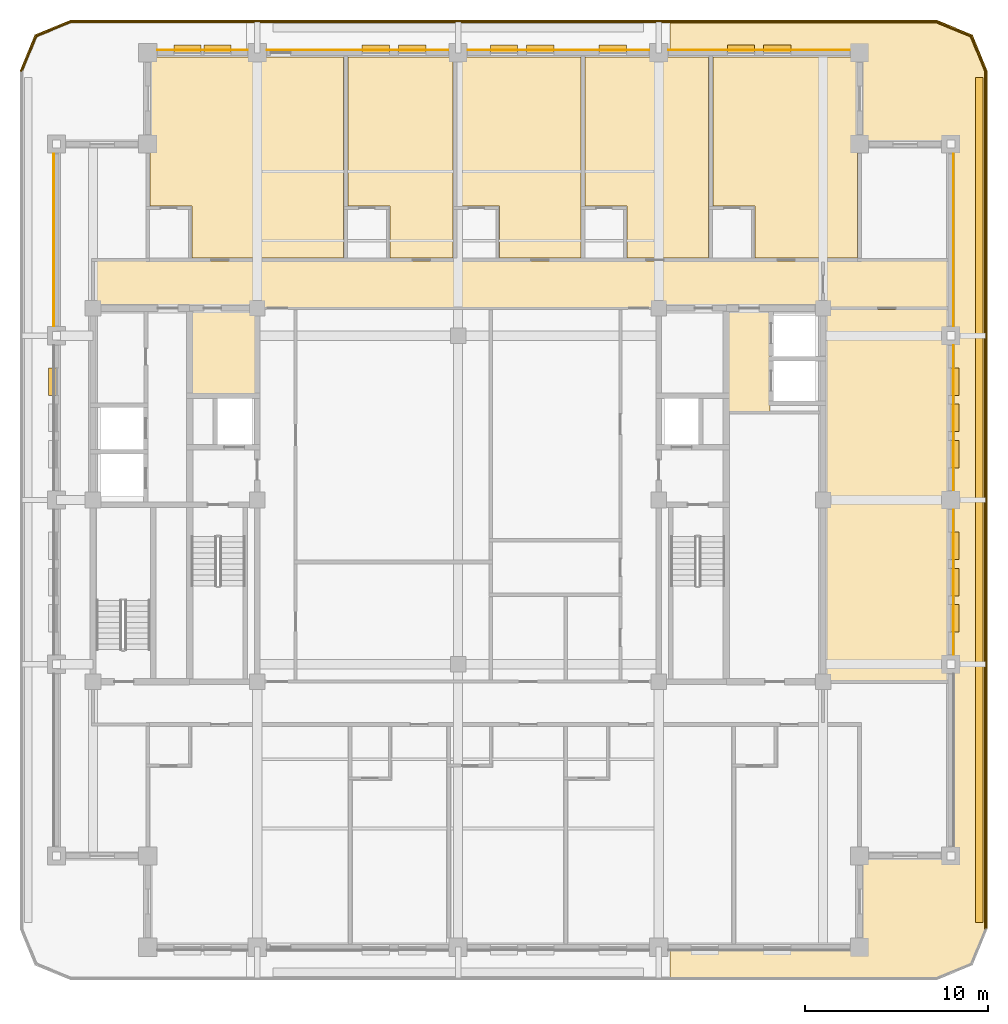
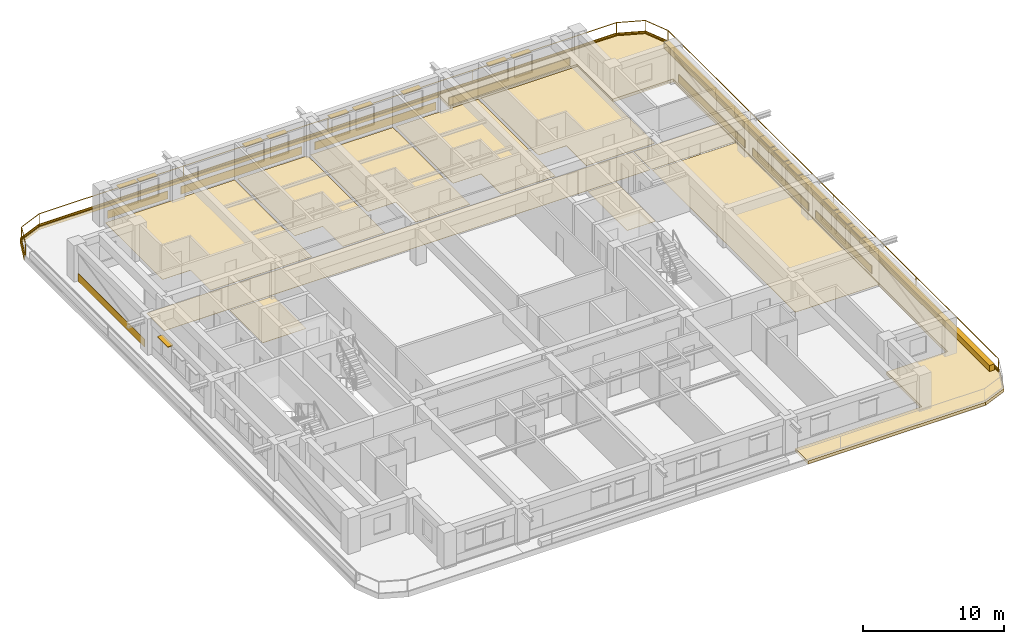
# One storey, part 13 of 13: 26 coverings, 16 shading devices, 2 railings.
"""IFC4 building model written with IfcOpenShell, lengths in metres."""

from ifc_helpers import new_model, si_unit, direction, frame, frame_2d, origin, origin_2d, place, context, subcontext, project, spatial, polyline, rectangle, outline, extrude, material, layer, layer_set, type_object, element, save


model = new_model("IFC4")

# Units and contexts
model_context = context("Model", 3, precision=1e-05, world=origin(), true_north=direction((0.0, 1.0)))
body_context = subcontext(model_context, "Body", "Model", "MODEL_VIEW")
ifc_project = project(units=[si_unit("LENGTHUNIT", "METRE"), si_unit("AREAUNIT", "SQUARE_METRE"), si_unit("VOLUMEUNIT", "CUBIC_METRE"), si_unit("PLANEANGLEUNIT", "RADIAN"), si_unit("MASSUNIT", "GRAM", prefix="KILO")], contexts=[model_context])

# Site, building, storey
site_placement = place(None, origin())
site = spatial("IfcSite", under=ifc_project, at=site_placement, CompositionType="ELEMENT")
building_placement = place(site_placement, origin())
building = spatial("IfcBuilding", under=site, at=building_placement, Name="Zulmaris Gate Convention Tower", CompositionType="ELEMENT")
storey_placement = place(building_placement, frame((0.0, 0.0, 166.059814453125)))
storey = spatial("IfcBuildingStorey", under=building, at=storey_placement, Name="L42", CompositionType="ELEMENT", Elevation=166.059814453125)

# Coverings
ifc_material_1 = material(Name="Precast concrete C40/50", Category="concrete")
ifc_layer_1 = layer(ifc_material_1, 0.0400390625, Name="Precast concrete C40/50")
ifc_layer_set_1 = layer_set([ifc_layer_1], Name="Precast concrete C40/50")
covering_type_1 = type_object("IfcCoveringType", Name="CLAD-SPANDREL-PRECAST", PredefinedType="CLADDING", material=ifc_layer_set_1)
covering_1_placement = place(storey_placement, frame((-11.530029296875, 24.64990234375, 0.0), z_axis=(0.0, 0.0, 1.0), x_axis=(-1.0, 0.0, 0.0)))
element("IfcCovering", 1, at=covering_1_placement, inside=storey, type_object=covering_type_1, Name="CLD-L42-N-0_0", PredefinedType="CLADDING", context=body_context, shape_type="SweptSolid", body=[
    extrude(rectangle(XDim=4.93994140625, YDim=0.0400390625, at=frame_2d((2.469970703125, 0.0))), origin(), (0.0, 0.0, 1.0), 0.679931640625),
])
for number, where, z_axis, x_axis, name in (
    (2, (-0.530029296875, 24.64990234375, 0.0), (0.0, 0.0, 1.0), (-1.0, 0.0, 0.0), "CLD-L42-N-1_0"),
    (3, (10.469970703125, 24.64990234375, 0.0), (0.0, 0.0, 1.0), (-1.0, 0.0, 0.0), "CLD-L42-N-2_0"),
    (4, (21.469970703125, 24.64990234375, 0.0), (0.0, 0.0, 1.0), (-1.0, 0.0, 0.0), "CLD-L42-N-3_0"),
):
    element("IfcCovering", number, at=place(storey_placement, frame(where, z_axis=z_axis, x_axis=x_axis)), inside=storey, type_object=covering_type_1, Name=name, PredefinedType="CLADDING", context=body_context, shape_type="SweptSolid", body=[
        extrude(rectangle(XDim=9.93994140625, YDim=0.0400390625, at=frame_2d((4.969970703125, 0.0))), origin(), (0.0, 0.0, 1.0), 0.679931640625),
    ])
for number, where, z_axis, x_axis, name in (
    (5, (27.14990234375, -8.469970703125, 0.0), (0.0, 0.0, 1.0), (0.0, 1.0, 0.0), "CLD-L42-E-1_0"),
    (6, (27.14990234375, 0.530029296875, 0.0), (0.0, 0.0, 1.0), (0.0, 1.0, 0.0), "CLD-L42-E-2_0"),
):
    element("IfcCovering", number, at=place(storey_placement, frame(where, z_axis=z_axis, x_axis=x_axis)), inside=storey, type_object=covering_type_1, Name=name, PredefinedType="CLADDING", context=body_context, shape_type="SweptSolid", body=[
        extrude(rectangle(XDim=7.93994140625, YDim=0.0400390625, at=frame_2d((3.969970703125, 0.0))), origin(), (0.0, 0.0, 1.0), 0.679931640625),
    ])
for number, where, z_axis, x_axis, name in (
    (7, (27.14990234375, 9.530029296875, 0.0), (0.0, 0.0, 1.0), (0.0, 1.0, 0.0), "CLD-L42-E-3_0"),
    (8, (-22.14990234375, 18.969970703125, 0.0), (0.0, 0.0, 1.0), (0.0, -1.0, 0.0), "CLD-L42-W-3_0"),
):
    element("IfcCovering", number, at=place(storey_placement, frame(where, z_axis=z_axis, x_axis=x_axis)), inside=storey, type_object=covering_type_1, Name=name, PredefinedType="CLADDING", context=body_context, shape_type="SweptSolid", body=[
        extrude(rectangle(XDim=9.43994140625, YDim=0.0400390625, at=frame_2d((4.719970703125, 0.0))), origin(), (0.0, 0.0, 1.0), 0.679931640625),
    ])
ifc_material_2 = material(Name="White Glazed Architectural Precast Concrete C40/50", Category="concrete")
ifc_layer_2 = layer(ifc_material_2, 0.239990234375, Name="White Glazed Architectural Precast Concrete C40/50")
ifc_layer_set_2 = layer_set([ifc_layer_2], Name="White Glazed Architectural Precast Concrete C40/50")
covering_type_2 = type_object("IfcCoveringType", Name="CLAD-TRAY-DECK", PredefinedType="CLADDING", material=ifc_layer_set_2)
covering_2_placement = place(storey_placement, frame((0.0, 0.0, -0.25)))
element("IfcCovering", 9, at=covering_2_placement, inside=storey, type_object=covering_type_2, Name="L42 East Rounded-Fascia Planter Tray Deck", PredefinedType="CLADDING", context=body_context, shape_type="SweptSolid", body=[
    extrude(outline(polyline([(26.199951171875, 26.300048828125), (28.179931640625, 25.47998046875), (29.0, 23.5), (29.0, -23.5), (28.179931640625, -25.47998046875), (26.199951171875, -26.300048828125), (11.60205078125, -26.300048828125), (11.60205078125, -24.5), (22.0, -24.5), (22.0, -19.5), (27.0, -19.5), (27.0, 19.5), (22.0, 19.5), (22.0, 24.5), (11.60205078125, 24.5), (11.60205078125, 26.300048828125), (26.199951171875, 26.300048828125)])), origin(), (0.0, 0.0, 1.0), 0.260009765625),
])
ifc_layer_3 = layer(ifc_material_2, 0.080078125, Name="White Glazed Architectural Precast Concrete C40/50")
ifc_layer_set_3 = layer_set([ifc_layer_3], Name="White Glazed Architectural Precast Concrete C40/50")
covering_type_3 = type_object("IfcCoveringType", Name="CLAD-TRAY-FASCIA", PredefinedType="CLADDING", material=ifc_layer_set_3)
covering_3_placement = place(storey_placement, frame((28.9599609375, -23.5, -0.2900390625), z_axis=(0.0, 0.0, 1.0), x_axis=(0.0, 1.0, 0.0)))
element("IfcCovering", 10, at=covering_3_placement, inside=storey, type_object=covering_type_3, Name="FSC-L42-TR-05", PredefinedType="CLADDING", context=body_context, shape_type="SweptSolid", body=[
    extrude(rectangle(XDim=47.0, YDim=0.080078125, at=frame_2d((23.5, 0.0))), origin(), (0.0, 0.0, 1.0), 0.4599609375),
])
covering_4_placement = place(storey_placement, frame((28.962890625, 23.484619140625, -0.2900390625), z_axis=(0.0, 0.0, 1.0), x_axis=(-0.382656984709, 0.923890487046, 0.0)))
element("IfcCovering", 11, at=covering_4_placement, inside=storey, type_object=covering_type_3, Name="FSC-L42-TR-06", PredefinedType="CLADDING", context=body_context, shape_type="SweptSolid", body=[
    extrude(rectangle(XDim=2.14306640625, YDim=0.080078125, at=frame_2d((1.071533203125, 0.0))), origin(), (0.0, 0.0, 1.0), 0.4599609375),
])
covering_5_placement = place(storey_placement, frame((28.16455078125, 25.44287109375, -0.2900390625), z_axis=(0.0, 0.0, 1.0), x_axis=(-0.923873803533, 0.382697263049, 0.0)))
element("IfcCovering", 12, at=covering_5_placement, inside=storey, type_object=covering_type_3, Name="FSC-L42-TR-07", PredefinedType="CLADDING", context=body_context, shape_type="SweptSolid", body=[
    extrude(rectangle(XDim=2.142822265625, YDim=0.080078125, at=frame_2d((1.0712890625, 0.0))), origin(), (0.0, 0.0, 1.0), 0.4599609375),
])
covering_6_placement = place(storey_placement, frame((26.199951171875, 26.260009765625, -0.2900390625), z_axis=(0.0, 0.0, 1.0), x_axis=(-1.0, 0.0, 0.0)))
element("IfcCovering", 13, at=covering_6_placement, inside=storey, type_object=covering_type_3, Name="FSC-L42-TR-08", PredefinedType="CLADDING", context=body_context, shape_type="SweptSolid", body=[
    extrude(rectangle(XDim=47.39990234375, YDim=0.080078125, at=frame_2d((23.699951171875, 0.0))), origin(), (0.0, 0.0, 1.0), 0.4599609375),
])
covering_7_placement = place(storey_placement, frame((-21.184814453125, 26.262939453125, -0.2900390625), z_axis=(0.0, 0.0, 1.0), x_axis=(-0.923873803533, -0.382697263049, 0.0)))
element("IfcCovering", 14, at=covering_7_placement, inside=storey, type_object=covering_type_3, Name="FSC-L42-TR-09", PredefinedType="CLADDING", context=body_context, shape_type="SweptSolid", body=[
    extrude(rectangle(XDim=2.142822265625, YDim=0.080078125, at=frame_2d((1.0712890625, 0.0))), origin(), (0.0, 0.0, 1.0), 0.4599609375),
])
covering_8_placement = place(storey_placement, frame((-23.142822265625, 25.464599609375, -0.2900390625), z_axis=(0.0, 0.0, 1.0), x_axis=(-0.382656984709, -0.923890487046, 0.0)))
element("IfcCovering", 15, at=covering_8_placement, inside=storey, type_object=covering_type_3, Name="FSC-L42-TR-10", PredefinedType="CLADDING", context=body_context, shape_type="SweptSolid", body=[
    extrude(rectangle(XDim=2.14306640625, YDim=0.080078125, at=frame_2d((1.071533203125, 0.0))), origin(), (0.0, 0.0, 1.0), 0.4599609375),
])
ifc_material_3 = material(Name="Woven Acoustic Wool Carpet Tile")
ifc_layer_4 = layer(ifc_material_3, 0.02001953125, Name="Woven Acoustic Wool Carpet Tile")
ifc_layer_set_4 = layer_set([ifc_layer_4], Name="Woven Acoustic Wool Carpet Tile")
covering_type_4 = type_object("IfcCoveringType", Name="FLR-CARPET-12", PredefinedType="FLOORING", material=ifc_layer_set_4)
covering_9_placement = place(storey_placement, origin())
element("IfcCovering", 16, at=covering_9_placement, inside=storey, type_object=covering_type_4, Name="FLR-L42-R11", PredefinedType="FLOORING", context=body_context, shape_type="SweptSolid", body=[
    extrude(outline(polyline([(-14.639892578125, 5.760009765625), (-11.06005859375, 5.760009765625), (-11.06005859375, 10.43994140625), (-14.639892578125, 10.43994140625), (-14.639892578125, 5.760009765625)])), origin(), (0.0, 0.0, 1.0), 0.02001953125),
])
covering_10_placement = place(storey_placement, origin())
element("IfcCovering", 17, at=covering_10_placement, inside=storey, type_object=covering_type_4, Name="FLR-L42-R21", PredefinedType="FLOORING", context=body_context, shape_type="SweptSolid", body=[
    extrude(outline(polyline([(14.760009765625, 4.860107421875), (17.090087890625, 4.860107421875), (17.090087890625, 10.43994140625), (14.760009765625, 10.43994140625), (14.760009765625, 4.860107421875)])), origin(), (0.0, 0.0, 1.0), 0.02001953125),
])
covering_11_placement = place(storey_placement, origin())
element("IfcCovering", 18, at=covering_11_placement, inside=storey, type_object=covering_type_4, Name="FLR-L42-R25", PredefinedType="FLOORING", context=body_context, shape_type="SweptSolid", body=[
    extrude(outline(polyline([(-19.93994140625, 10.56005859375), (19.93994140625, 10.56005859375), (19.93994140625, 13.090087890625), (-19.93994140625, 13.090087890625), (-19.93994140625, 10.56005859375)])), origin(), (0.0, 0.0, 1.0), 0.02001953125),
])
covering_12_placement = place(storey_placement, origin())
element("IfcCovering", 19, at=covering_12_placement, inside=storey, type_object=covering_type_4, Name="FLR-L42-R55", PredefinedType="FLOORING", context=body_context, shape_type="SweptSolid", body=[
    extrude(outline(polyline([(20.06005859375, 10.56005859375), (26.93994140625, 10.56005859375), (26.93994140625, 13.090087890625), (20.06005859375, 13.090087890625), (20.06005859375, 10.56005859375)])), origin(), (0.0, 0.0, 1.0), 0.02001953125),
])
ifc_material_4 = material(Name="Engineered Teak Parquet Flooring")
ifc_layer_5 = layer(ifc_material_4, 0.02001953125, Name="Engineered Teak Parquet Flooring")
ifc_layer_set_5 = layer_set([ifc_layer_5], Name="Engineered Teak Parquet Flooring")
covering_type_5 = type_object("IfcCoveringType", Name="FLR-TIMBER-18", PredefinedType="FLOORING", material=ifc_layer_set_5)
covering_13_placement = place(storey_placement, origin())
element("IfcCovering", 20, at=covering_13_placement, inside=storey, type_object=covering_type_5, Name="FLR-L42-R30", PredefinedType="FLOORING", context=body_context, shape_type="SweptSolid", body=[
    extrude(outline(polyline([(-14.580078125, 13.27001953125), (-6.27001953125, 13.27001953125), (-6.27001953125, 24.260009765625), (-16.8798828125, 24.260009765625), (-16.8798828125, 16.1201171875), (-14.580078125, 16.1201171875), (-14.580078125, 13.27001953125)])), origin(), (0.0, 0.0, 1.0), 0.02001953125),
])
covering_14_placement = place(storey_placement, origin())
element("IfcCovering", 21, at=covering_14_placement, inside=storey, type_object=covering_type_5, Name="FLR-L42-R32", PredefinedType="FLOORING", context=body_context, shape_type="SweptSolid", body=[
    extrude(outline(polyline([(-3.72998046875, 13.27001953125), (-0.27001953125, 13.27001953125), (-0.27001953125, 24.260009765625), (-6.030029296875, 24.260009765625), (-6.030029296875, 16.1201171875), (-3.72998046875, 16.1201171875), (-3.72998046875, 13.27001953125)])), origin(), (0.0, 0.0, 1.0), 0.02001953125),
])
covering_15_placement = place(storey_placement, origin())
element("IfcCovering", 22, at=covering_15_placement, inside=storey, type_object=covering_type_5, Name="FLR-L42-R34", PredefinedType="FLOORING", context=body_context, shape_type="SweptSolid", body=[
    extrude(outline(polyline([(2.27001953125, 13.27001953125), (6.72998046875, 13.27001953125), (6.72998046875, 24.260009765625), (-0.030029296875, 24.260009765625), (-0.030029296875, 16.1201171875), (2.27001953125, 16.1201171875), (2.27001953125, 13.27001953125)])), origin(), (0.0, 0.0, 1.0), 0.02001953125),
])
covering_16_placement = place(storey_placement, origin())
element("IfcCovering", 23, at=covering_16_placement, inside=storey, type_object=covering_type_5, Name="FLR-L42-R36", PredefinedType="FLOORING", context=body_context, shape_type="SweptSolid", body=[
    extrude(outline(polyline([(9.27001953125, 13.27001953125), (13.72998046875, 13.27001953125), (13.72998046875, 24.260009765625), (6.969970703125, 24.260009765625), (6.969970703125, 16.1201171875), (9.27001953125, 16.1201171875), (9.27001953125, 13.27001953125)])), origin(), (0.0, 0.0, 1.0), 0.02001953125),
])
covering_17_placement = place(storey_placement, origin())
element("IfcCovering", 24, at=covering_17_placement, inside=storey, type_object=covering_type_5, Name="FLR-L42-R38", PredefinedType="FLOORING", context=body_context, shape_type="SweptSolid", body=[
    extrude(outline(polyline([(16.27001953125, 13.27001953125), (21.8798828125, 13.27001953125), (21.8798828125, 24.260009765625), (13.969970703125, 24.260009765625), (13.969970703125, 16.1201171875), (16.27001953125, 16.1201171875), (16.27001953125, 13.27001953125)])), origin(), (0.0, 0.0, 1.0), 0.02001953125),
])
covering_18_placement = place(storey_placement, origin())
element("IfcCovering", 25, at=covering_18_placement, inside=storey, type_object=covering_type_5, Name="FLR-L42-R56", PredefinedType="FLOORING", context=body_context, shape_type="SweptSolid", body=[
    extrude(outline(polyline([(20.06005859375, -9.889892578125), (26.93994140625, -9.889892578125), (26.93994140625, 10.43994140625), (20.06005859375, 10.43994140625), (20.06005859375, -9.889892578125)])), origin(), (0.0, 0.0, 1.0), 0.02001953125),
])
ifc_material_5 = material(Name="Botanical Green Glazed Precast Concrete C40/50", Category="concrete")
ifc_layer_6 = layer(ifc_material_5, 0.419921875, Name="Botanical Green Glazed Precast Concrete C40/50")
ifc_layer_set_6 = layer_set([ifc_layer_6], Name="Botanical Green Glazed Precast Concrete C40/50")
covering_type_6 = type_object("IfcCoveringType", Name="PLANTER-BOX-200", PredefinedType="CLADDING", material=ifc_layer_set_6)
covering_19_placement = place(storey_placement, frame((0.0, 0.0, 0.010009765625)))
element("IfcCovering", 26, at=covering_19_placement, inside=storey, type_object=covering_type_6, Name="L42 E Full-Length Balcony Tree Planter Trough", PredefinedType="CLADDING", context=body_context, shape_type="SweptSolid", body=[
    extrude(outline(polyline([(28.340087890625, -23.14990234375), (28.760009765625, -23.14990234375), (28.760009765625, 23.14990234375), (28.340087890625, 23.14990234375), (28.340087890625, -23.14990234375)])), origin(), (0.0, 0.0, 1.0), 0.52001953125),
])

# Railings
ifc_material_6 = material(Name="Laminated Glass and Stainless Steel", Category="steel")
railing_type = type_object("IfcRailingType", Name="RL-BALC-1150", PredefinedType="BALUSTRADE", material=ifc_material_6)
railing_1_placement = place(storey_placement, frame((28.8798828125, -23.5, 0.010009765625)))
element("IfcRailing", 27, at=railing_1_placement, inside=storey, type_object=railing_type, Name="RL-L42-BALC-E", PredefinedType="BALUSTRADE", context=body_context, shape_type="SweptSolid", body=[
    extrude(rectangle(XDim=0.048095703125, YDim=0.048095703125, at=origin_2d()), frame((0.0, 0.0, 1.1259765625), z_axis=(0.0, 1.0, 0.0), x_axis=(-1.0, 0.0, 0.0)), (0.0, 0.0, 1.0), 47.0),
    extrude(rectangle(XDim=0.048095703125, YDim=0.048095703125, at=origin_2d()), frame((0.0, 0.0, 0.02392578125), z_axis=(0.0, 1.0, 0.0), x_axis=(-1.0, 0.0, 0.0)), (0.0, 0.0, 1.0), 47.0),
    extrude(rectangle(XDim=0.0419921875, YDim=0.0419921875, at=origin_2d()), origin(), (0.0, 0.0, 1.0), 1.101806640625),
    extrude(rectangle(XDim=0.0419921875, YDim=0.0419921875, at=origin_2d()), frame((0.0, 11.75, 0.0)), (0.0, 0.0, 1.0), 1.101806640625),
    extrude(rectangle(XDim=0.0419921875, YDim=0.0419921875, at=origin_2d()), frame((0.0, 23.5, 0.0)), (0.0, 0.0, 1.0), 1.101806640625),
    extrude(rectangle(XDim=0.0419921875, YDim=0.0419921875, at=origin_2d()), frame((0.0, 35.25, 0.0)), (0.0, 0.0, 1.0), 1.101806640625),
    extrude(rectangle(XDim=0.0419921875, YDim=0.0419921875, at=origin_2d()), frame((0.0, 47.0, 0.0)), (0.0, 0.0, 1.0), 1.101806640625),
])
railing_2_placement = place(storey_placement, frame((28.8798828125, 23.5, 0.010009765625)))
element("IfcRailing", 28, at=railing_2_placement, inside=storey, type_object=railing_type, Name="RL-L42-BALC-N", PredefinedType="BALUSTRADE", context=body_context, shape_type="SweptSolid", body=[
    extrude(rectangle(XDim=0.048095703125, YDim=0.048095703125, at=origin_2d()), frame((0.0, 0.0, 1.1259765625), z_axis=(-0.382670664694, 0.92388482095, 0.0), x_axis=(-0.92388482095, -0.382670664694, 0.0)), (0.0, 0.0, 1.0), 2.051025390625),
    extrude(rectangle(XDim=0.048095703125, YDim=0.048095703125, at=origin_2d()), frame((0.0, 0.0, 0.02392578125), z_axis=(-0.382670664694, 0.92388482095, 0.0), x_axis=(-0.92388482095, -0.382670664694, 0.0)), (0.0, 0.0, 1.0), 2.051025390625),
    extrude(rectangle(XDim=0.048095703125, YDim=0.048095703125, at=origin_2d()), frame((-0.784912109375, 1.89501953125, 1.1259765625), z_axis=(-0.92388482095, 0.382670664694, 0.0), x_axis=(-0.382670664694, -0.92388482095, 0.0)), (0.0, 0.0, 1.0), 2.051025390625),
    extrude(rectangle(XDim=0.048095703125, YDim=0.048095703125, at=origin_2d()), frame((-0.784912109375, 1.89501953125, 0.02392578125), z_axis=(-0.92388482095, 0.382670664694, 0.0), x_axis=(-0.382670664694, -0.92388482095, 0.0)), (0.0, 0.0, 1.0), 2.051025390625),
    extrude(rectangle(XDim=0.048095703125, YDim=0.048095703125, at=origin_2d()), frame((-2.679931640625, 2.679931640625, 1.1259765625), z_axis=(-1.0, 0.0, 0.0), x_axis=(0.0, -1.0, 0.0)), (0.0, 0.0, 1.0), 47.39990234375),
    extrude(rectangle(XDim=0.048095703125, YDim=0.048095703125, at=origin_2d()), frame((-2.679931640625, 2.679931640625, 0.02392578125), z_axis=(-1.0, 0.0, 0.0), x_axis=(0.0, -1.0, 0.0)), (0.0, 0.0, 1.0), 47.39990234375),
    extrude(rectangle(XDim=0.048095703125, YDim=0.048095703125, at=origin_2d()), frame((-50.079833984375, 2.679931640625, 1.1259765625), z_axis=(-0.92388482095, -0.382670664694, 0.0), x_axis=(0.382670664694, -0.92388482095, 0.0)), (0.0, 0.0, 1.0), 2.051025390625),
    extrude(rectangle(XDim=0.048095703125, YDim=0.048095703125, at=origin_2d()), frame((-50.079833984375, 2.679931640625, 0.02392578125), z_axis=(-0.92388482095, -0.382670664694, 0.0), x_axis=(0.382670664694, -0.92388482095, 0.0)), (0.0, 0.0, 1.0), 2.051025390625),
    extrude(rectangle(XDim=0.048095703125, YDim=0.048095703125, at=origin_2d()), frame((-51.974853515625, 1.89501953125, 1.1259765625), z_axis=(-0.382670664694, -0.92388482095, 0.0), x_axis=(0.92388482095, -0.382670664694, 0.0)), (0.0, 0.0, 1.0), 2.051025390625),
    extrude(rectangle(XDim=0.048095703125, YDim=0.048095703125, at=origin_2d()), frame((-51.974853515625, 1.89501953125, 0.02392578125), z_axis=(-0.382670664694, -0.92388482095, 0.0), x_axis=(0.92388482095, -0.382670664694, 0.0)), (0.0, 0.0, 1.0), 2.051025390625),
    extrude(rectangle(XDim=0.0419921875, YDim=0.0419921875, at=origin_2d()), origin(), (0.0, 0.0, 1.0), 1.101806640625),
    extrude(rectangle(XDim=0.0419921875, YDim=0.0419921875, at=origin_2d()), frame((-0.784912109375, 1.89501953125, 0.0)), (0.0, 0.0, 1.0), 1.101806640625),
    extrude(rectangle(XDim=0.0419921875, YDim=0.0419921875, at=origin_2d()), frame((-2.679931640625, 2.679931640625, 0.0)), (0.0, 0.0, 1.0), 1.101806640625),
    extrude(rectangle(XDim=0.0419921875, YDim=0.0419921875, at=origin_2d()), frame((-14.52978515625, 2.679931640625, 0.0)), (0.0, 0.0, 1.0), 1.101806640625),
    extrude(rectangle(XDim=0.0419921875, YDim=0.0419921875, at=origin_2d()), frame((-26.3798828125, 2.679931640625, 0.0)), (0.0, 0.0, 1.0), 1.101806640625),
    extrude(rectangle(XDim=0.0419921875, YDim=0.0419921875, at=origin_2d()), frame((-38.22998046875, 2.679931640625, 0.0)), (0.0, 0.0, 1.0), 1.101806640625),
    extrude(rectangle(XDim=0.0419921875, YDim=0.0419921875, at=origin_2d()), frame((-50.079833984375, 2.679931640625, 0.0)), (0.0, 0.0, 1.0), 1.101806640625),
    extrude(rectangle(XDim=0.0419921875, YDim=0.0419921875, at=origin_2d()), frame((-51.974853515625, 1.89501953125, 0.0)), (0.0, 0.0, 1.0), 1.101806640625),
    extrude(rectangle(XDim=0.0419921875, YDim=0.0419921875, at=origin_2d()), frame((-52.759765625, 0.0, 0.0)), (0.0, 0.0, 1.0), 1.101806640625),
])

# Shading devices
ifc_material_7 = material(Name="Glazed Ceramic Terracotta", Category="masonry")
ifc_layer_7 = layer(ifc_material_7, 0.070068359375, Name="Glazed Ceramic Terracotta")
ifc_layer_set_7 = layer_set([ifc_layer_7], Name="Glazed Ceramic Terracotta")
shading_device_type = type_object("IfcShadingDeviceType", Name="SHD-SUNSHADE-TC", PredefinedType="AWNING", material=ifc_layer_set_7)
for number, where, z_axis, x_axis, name in (
    (29, (-12.427001953125, 24.719970703125, 2.35009765625), (0.0, 0.0, 1.0), (-1.0, 0.0, 0.0), "SHD-EW-L42-N-0_0-1"),
    (30, (-14.072998046875, 24.719970703125, 2.35009765625), (0.0, 0.0, 1.0), (-1.0, 0.0, 0.0), "SHD-EW-L42-N-0_0-2"),
    (31, (-1.76806640625, 24.719970703125, 2.35009765625), (0.0, 0.0, 1.0), (-1.0, 0.0, 0.0), "SHD-EW-L42-N-1_0-1"),
    (32, (-3.756103515625, 24.719970703125, 2.35009765625), (0.0, 0.0, 1.0), (-1.0, 0.0, 0.0), "SHD-EW-L42-N-1_0-2"),
    (33, (9.23193359375, 24.719970703125, 2.35009765625), (0.0, 0.0, 1.0), (-1.0, 0.0, 0.0), "SHD-EW-L42-N-2_0-1"),
    (34, (5.256103515625, 24.719970703125, 2.35009765625), (0.0, 0.0, 1.0), (-1.0, 0.0, 0.0), "SHD-EW-L42-N-2_0-3"),
    (35, (3.26806640625, 24.719970703125, 2.35009765625), (0.0, 0.0, 1.0), (-1.0, 0.0, 0.0), "SHD-EW-L42-N-2_0-4"),
    (36, (18.243896484375, 24.719970703125, 2.35009765625), (0.0, 0.0, 1.0), (-1.0, 0.0, 0.0), "SHD-EW-L42-N-3_0-2"),
    (37, (16.256103515625, 24.719970703125, 2.35009765625), (0.0, 0.0, 1.0), (-1.0, 0.0, 0.0), "SHD-EW-L42-N-3_0-3"),
    (38, (27.219970703125, -7.235107421875, 2.35009765625), (0.0, 0.0, 1.0), (0.0, 1.0, 0.0), "SHD-EW-L42-E-1_0-1"),
    (39, (27.219970703125, -5.25, 2.35009765625), (0.0, 0.0, 1.0), (0.0, 1.0, 0.0), "SHD-EW-L42-E-1_0-2"),
    (40, (27.219970703125, -3.264892578125, 2.35009765625), (0.0, 0.0, 1.0), (0.0, 1.0, 0.0), "SHD-EW-L42-E-1_0-3"),
    (41, (27.219970703125, 1.764892578125, 2.35009765625), (0.0, 0.0, 1.0), (0.0, 1.0, 0.0), "SHD-EW-L42-E-2_0-1"),
    (42, (27.219970703125, 3.75, 2.35009765625), (0.0, 0.0, 1.0), (0.0, 1.0, 0.0), "SHD-EW-L42-E-2_0-2"),
    (43, (27.219970703125, 5.735107421875, 2.35009765625), (0.0, 0.0, 1.0), (0.0, 1.0, 0.0), "SHD-EW-L42-E-2_0-3"),
    (44, (-22.219970703125, 7.235107421875, 2.35009765625), (0.0, 0.0, 1.0), (0.0, -1.0, 0.0), "SHD-EW-L42-W-2_0-1"),
):
    element("IfcShadingDevice", number, at=place(storey_placement, frame(where, z_axis=z_axis, x_axis=x_axis)), inside=storey, type_object=shading_device_type, Name=name, PredefinedType="AWNING", context=body_context, shape_type="SweptSolid", body=[
        extrude(rectangle(XDim=1.5, YDim=0.43994140625, at=frame_2d((0.75, 0.0))), origin(), (0.0, 0.0, 1.0), 0.06982421875),
    ])

save(model, "model.ifc")
